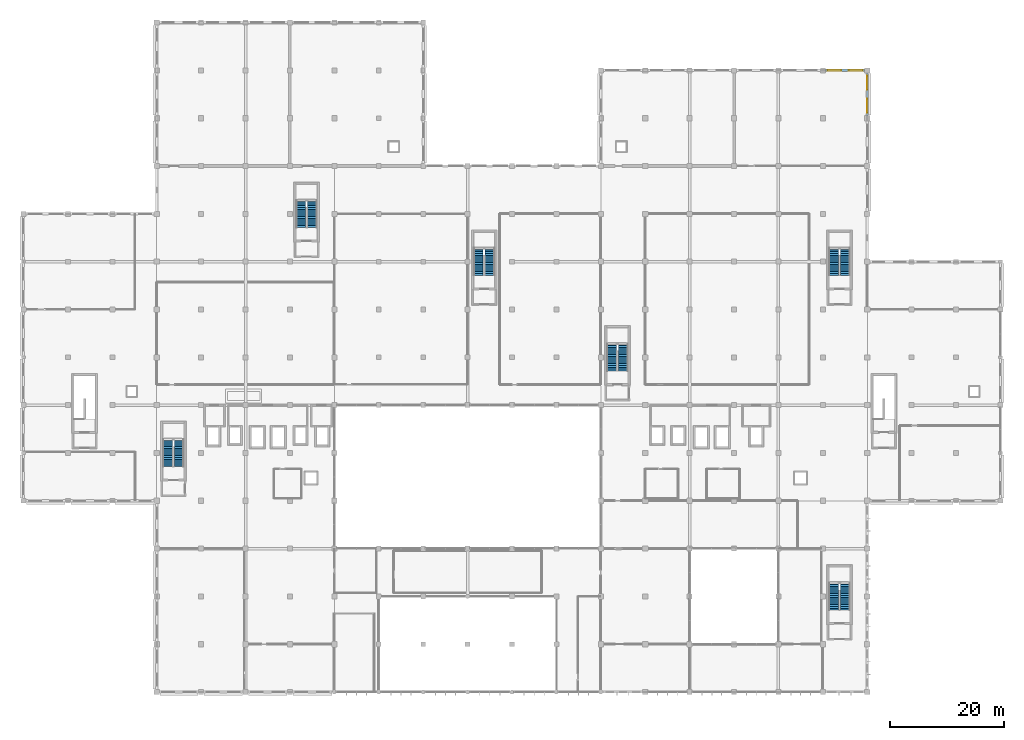
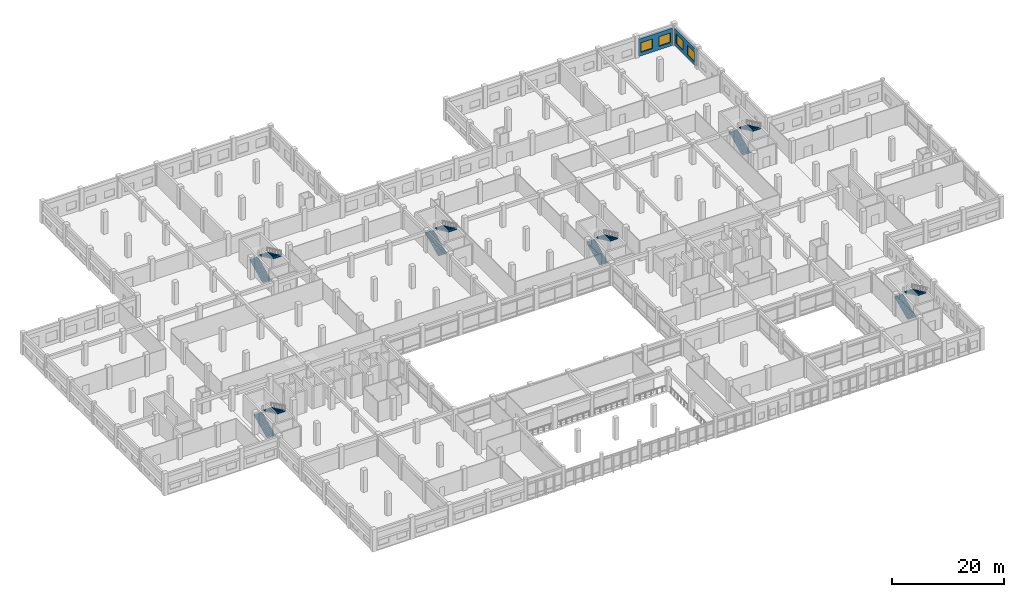
# One storey, part 66 of 79: 12 stair flights, 4 windows, 2 walls, 4 openings, 6 elements without a shape of their own.
"""IFC4 building model written with IfcOpenShell, lengths in metres."""

from ifc_helpers import new_model, si_unit, direction, frame, frame_2d, origin, place, context, subcontext, project, spatial, polyline, rectangle, outline, extrude, material, layer, layer_set, type_object, element, fill, aggregate, save


model = new_model("IFC4")

# Units and contexts
model_context = context("Model", 3, precision=1e-05, world=origin(), true_north=direction((0.0, 1.0)))
body_context = subcontext(model_context, "Body", "Model", "MODEL_VIEW")
ifc_project = project(units=[si_unit("LENGTHUNIT", "METRE"), si_unit("AREAUNIT", "SQUARE_METRE"), si_unit("VOLUMEUNIT", "CUBIC_METRE"), si_unit("PLANEANGLEUNIT", "RADIAN"), si_unit("MASSUNIT", "GRAM", prefix="KILO"), si_unit("THERMODYNAMICTEMPERATUREUNIT", "KELVIN"), si_unit("POWERUNIT", "WATT")], contexts=[model_context])

# Site, building, storey
site_placement = place(None, origin())
site = spatial("IfcSite", under=ifc_project, at=site_placement, CompositionType="ELEMENT")
building_placement = place(site_placement, origin())
building = spatial("IfcBuilding", under=site, at=building_placement, Name="Srebrne Nadtorze General Hospital", CompositionType="ELEMENT")
storey_placement = place(building_placement, frame((0.0, 0.0, 4.800048828125)))
storey = spatial("IfcBuildingStorey", under=building, at=storey_placement, Name="L01", CompositionType="ELEMENT", Elevation=4.800048828125)

# Wall, openings, windows
ifc_material_1 = material(Name="Concrete C40/50", Category="concrete")
ifc_layer_1 = layer(ifc_material_1, 0.419921875)
ifc_layer_set_1 = layer_set([ifc_layer_1], Name="Concrete C40/50")
wall_type_1 = type_object("IfcWallType", Name="Acoustic buffer wall 420", PredefinedType="SOLIDWALL", material=ifc_layer_set_1)
wall_1_placement = place(storey_placement, frame((140.85009765625, 109.199951171875, 0.0), z_axis=(0.0, 0.0, 1.0), x_axis=(1.0, 0.0, 0.0)))
wall_1 = element("IfcWall", 1, at=wall_1_placement, inside=storey, type_object=wall_type_1, Name="Exterior wall WL-ENV-L01-0177", PredefinedType="SOLIDWALL", context=body_context, shape_type="SweptSolid", body=[
    extrude(rectangle(XDim=6.89990234375, YDim=0.419921875, at=frame_2d((3.449951171875, 0.0))), origin(), (0.0, 0.0, 1.0), 3.75),
])
opening_1_placement = place(wall_1_placement, frame((0.3779296875, 0.0, 0.75)))
opening_1 = element("IfcOpeningElement", 2, at=opening_1_placement, cuts=wall_1, Name="Opening WN-L01-0174", PredefinedType="OPENING", context=body_context, shape_type="SweptSolid", body=[
    extrude(rectangle(XDim=2.39990234375, YDim=2.10009765625, at=frame_2d((1.199951171875, 1.050048828125))), frame((0.0, 0.221923828125, 0.0), z_axis=(0.0, -1.0, 0.0), x_axis=(1.0, 0.0, 0.0)), (0.0, 0.0, 1.0), 0.44384765625),
])
opening_2_placement = place(wall_1_placement, frame((4.1220703125, 0.0, 0.75)))
opening_2 = element("IfcOpeningElement", 3, at=opening_2_placement, cuts=wall_1, Name="Opening WN-L01-0175", PredefinedType="OPENING", context=body_context, shape_type="SweptSolid", body=[
    extrude(rectangle(XDim=2.39990234375, YDim=2.10009765625, at=frame_2d((1.199951171875, 1.050048828125))), frame((0.0, 0.221923828125, 0.0), z_axis=(0.0, -1.0, 0.0), x_axis=(1.0, 0.0, 0.0)), (0.0, 0.0, 1.0), 0.44384765625),
])
ifc_material_2 = material(Name="Triple Low-E Glazing", Category="glass")
window_type = type_object("IfcWindowType", Name="Punched clinical window 2400x2100", PartitioningType="DOUBLE_PANEL_VERTICAL", PredefinedType="WINDOW", material=ifc_material_2)
window_1_placement = place(opening_1_placement, origin())
window_1 = element("IfcWindow", 4, at=window_1_placement, inside=storey, type_object=window_type, Name="Clinical window WN-L01-0174", OverallHeight=2.10009765625, OverallWidth=2.39990234375, PartitioningType="DOUBLE_PANEL_VERTICAL", PredefinedType="WINDOW", context=body_context, shape_type="SweptSolid", body=[
    extrude(rectangle(XDim=2.39990234375, YDim=2.10009765625, at=frame_2d((1.199951171875, 1.050048828125))), frame((0.0, 0.030029296875, 0.0), z_axis=(0.0, -1.0, 0.0), x_axis=(1.0, 0.0, 0.0)), (0.0, 0.0, 1.0), 0.06005859375),
])
fill(opening_1, window_1)
window_2_placement = place(opening_2_placement, origin())
window_2 = element("IfcWindow", 5, at=window_2_placement, inside=storey, type_object=window_type, Name="Clinical window WN-L01-0175", OverallHeight=2.10009765625, OverallWidth=2.39990234375, PartitioningType="DOUBLE_PANEL_VERTICAL", PredefinedType="WINDOW", context=body_context, shape_type="SweptSolid", body=[
    extrude(rectangle(XDim=2.39990234375, YDim=2.10009765625, at=frame_2d((1.199951171875, 1.050048828125))), frame((0.0, 0.030029296875, 0.0), z_axis=(0.0, -1.0, 0.0), x_axis=(1.0, 0.0, 0.0)), (0.0, 0.0, 1.0), 0.06005859375),
])
fill(opening_2, window_2)

ifc_material_3 = material(Name="Concrete C35/45", Category="concrete")
ifc_layer_2 = layer(ifc_material_3, 0.320068359375)
ifc_layer_set_2 = layer_set([ifc_layer_2], Name="Concrete C35/45")
wall_type_2 = type_object("IfcWallType", Name="Spandrel wall 320", PredefinedType="STANDARD", material=ifc_layer_set_2)
wall_2_placement = place(storey_placement, frame((148.199951171875, 101.25, 0.0), z_axis=(0.0, 0.0, 1.0), x_axis=(0.0, 1.0, 0.0)))
wall_2 = element("IfcWall", 6, at=wall_2_placement, inside=storey, type_object=wall_type_2, Name="Exterior wall WL-ENV-L01-0210", PredefinedType="STANDARD", context=body_context, shape_type="SweptSolid", body=[
    extrude(rectangle(XDim=7.5, YDim=0.320068359375, at=frame_2d((3.75, 0.0))), origin(), (0.0, 0.0, 1.0), 3.75),
])
opening_3_placement = place(wall_2_placement, frame((0.533935546875, 0.0, 0.75)))
opening_3 = element("IfcOpeningElement", 7, at=opening_3_placement, cuts=wall_2, Name="Opening WN-L01-0242", PredefinedType="OPENING", context=body_context, shape_type="SweptSolid", body=[
    extrude(rectangle(XDim=2.39990234375, YDim=2.10009765625, at=frame_2d((1.199951171875, 1.050048828125))), frame((0.0, 0.171875, 0.0), z_axis=(0.0, -1.0, 0.0), x_axis=(1.0, 0.0, 0.0)), (0.0, 0.0, 1.0), 0.343994140625),
])
opening_4_placement = place(wall_2_placement, frame((4.56591796875, 0.0, 0.75)))
opening_4 = element("IfcOpeningElement", 8, at=opening_4_placement, cuts=wall_2, Name="Opening WN-L01-0243", PredefinedType="OPENING", context=body_context, shape_type="SweptSolid", body=[
    extrude(rectangle(XDim=2.39990234375, YDim=2.10009765625, at=frame_2d((1.199951171875, 1.050048828125))), frame((0.0, 0.171875, 0.0), z_axis=(0.0, -1.0, 0.0), x_axis=(1.0, 0.0, 0.0)), (0.0, 0.0, 1.0), 0.343994140625),
])
window_3_placement = place(opening_3_placement, origin())
window_3 = element("IfcWindow", 9, at=window_3_placement, inside=storey, type_object=window_type, Name="Clinical window WN-L01-0242", OverallHeight=2.10009765625, OverallWidth=2.39990234375, PartitioningType="DOUBLE_PANEL_VERTICAL", PredefinedType="WINDOW", context=body_context, shape_type="SweptSolid", body=[
    extrude(rectangle(XDim=2.39990234375, YDim=2.10009765625, at=frame_2d((1.199951171875, 1.050048828125))), frame((0.0, 0.030029296875, 0.0), z_axis=(0.0, -1.0, 0.0), x_axis=(1.0, 0.0, 0.0)), (0.0, 0.0, 1.0), 0.06005859375),
])
fill(opening_3, window_3)
window_4_placement = place(opening_4_placement, origin())
window_4 = element("IfcWindow", 10, at=window_4_placement, inside=storey, type_object=window_type, Name="Clinical window WN-L01-0243", OverallHeight=2.10009765625, OverallWidth=2.39990234375, PartitioningType="DOUBLE_PANEL_VERTICAL", PredefinedType="WINDOW", context=body_context, shape_type="SweptSolid", body=[
    extrude(rectangle(XDim=2.39990234375, YDim=2.10009765625, at=frame_2d((1.199951171875, 1.050048828125))), frame((0.0, 0.030029296875, 0.0), z_axis=(0.0, -1.0, 0.0), x_axis=(1.0, 0.0, 0.0)), (0.0, 0.0, 1.0), 0.06005859375),
])
fill(opening_4, window_4)

# Stair, stair flights
ifc_material_4 = material(Name="Concrete C35/45", Category="concrete")
stair_type = type_object("IfcStairType", Name="Dog-leg escape stair 480", PredefinedType="HALF_TURN_STAIR", material=ifc_material_4)
stair_1_placement = place(storey_placement, origin())
stair_1 = element("IfcStair", 11, at=stair_1_placement, inside=storey, type_object=stair_type, Name="Escape stair ST-01-L01", PredefinedType="HALF_TURN_STAIR")
ifc_material_5 = material(Name="Concrete C35/45", Category="concrete")
stair_flight_type = type_object("IfcStairFlightType", Name="Reinforced concrete stair flight 16R", PredefinedType="STRAIGHT", material=ifc_material_5)
stair_flight_1_placement = place(storey_placement, frame((25.300048828125, 39.60009765625, 0.0), z_axis=(0.0, 0.0, 1.0), x_axis=(0.0, 1.0, 0.0)))
stair_flight_1 = element("IfcStairFlight", 12, at=stair_flight_1_placement, type_object=stair_flight_type, Name="ST-01 flight 1", NumberOfRisers=16, NumberOfTreads=15, PredefinedType="STRAIGHT", RiserHeight=0.15, TreadLength=0.32, context=body_context, shape_type="SweptSolid", body=[
    extrude(outline(polyline([(0.0, 0.0), (0.0, 0.14990234375), (0.320068359375, 0.14990234375), (0.320068359375, 0.300048828125), (0.639892578125, 0.300048828125), (0.639892578125, 0.449951171875), (0.9599609375, 0.449951171875), (0.9599609375, 0.60009765625), (1.280029296875, 0.60009765625), (1.280029296875, 0.75), (1.60009765625, 0.75), (1.60009765625, 0.89990234375), (1.919921875, 0.89990234375), (1.919921875, 1.050048828125), (2.239990234375, 1.050048828125), (2.239990234375, 1.199951171875), (2.56005859375, 1.199951171875), (2.56005859375, 1.35009765625), (2.8798828125, 1.35009765625), (2.8798828125, 1.5), (3.199951171875, 1.5), (3.199951171875, 1.64990234375), (3.52001953125, 1.64990234375), (3.52001953125, 1.800048828125), (3.840087890625, 1.800048828125), (3.840087890625, 1.949951171875), (4.159912109375, 1.949951171875), (4.159912109375, 2.10009765625), (4.47998046875, 2.10009765625), (4.47998046875, 2.25), (4.800048828125, 2.25), (4.800048828125, 2.39990234375), (4.800048828125, 2.05126953125), (0.423828125, 0.0), (0.0, 0.0)])), frame((0.0, 0.85009765625, 0.0), z_axis=(0.0, -1.0, 0.0), x_axis=(1.0, 0.0, 0.0)), (0.0, 0.0, 1.0), 1.699951171875),
])
stair_flight_2_placement = place(storey_placement, frame((27.35009765625, 44.39990234375, 2.39990234375), z_axis=(0.0, 0.0, 1.0), x_axis=(0.0, -1.0, 0.0)))
stair_flight_2 = element("IfcStairFlight", 13, at=stair_flight_2_placement, type_object=stair_flight_type, Name="ST-01 flight 2", NumberOfRisers=16, NumberOfTreads=15, PredefinedType="STRAIGHT", RiserHeight=0.15, TreadLength=0.32, context=body_context, shape_type="SweptSolid", body=[
    extrude(outline(polyline([(0.0, 0.0), (0.0, 0.14990234375), (0.320068359375, 0.14990234375), (0.320068359375, 0.300048828125), (0.639892578125, 0.300048828125), (0.639892578125, 0.449951171875), (0.9599609375, 0.449951171875), (0.9599609375, 0.60009765625), (1.280029296875, 0.60009765625), (1.280029296875, 0.75), (1.60009765625, 0.75), (1.60009765625, 0.89990234375), (1.919921875, 0.89990234375), (1.919921875, 1.050048828125), (2.239990234375, 1.050048828125), (2.239990234375, 1.199951171875), (2.56005859375, 1.199951171875), (2.56005859375, 1.35009765625), (2.8798828125, 1.35009765625), (2.8798828125, 1.5), (3.199951171875, 1.5), (3.199951171875, 1.64990234375), (3.52001953125, 1.64990234375), (3.52001953125, 1.800048828125), (3.840087890625, 1.800048828125), (3.840087890625, 1.949951171875), (4.159912109375, 1.949951171875), (4.159912109375, 2.10009765625), (4.47998046875, 2.10009765625), (4.47998046875, 2.25), (4.800048828125, 2.25), (4.800048828125, 2.39990234375), (4.800048828125, 2.05126953125), (0.423828125, 0.0), (0.0, 0.0)])), frame((0.0, 0.85009765625, 0.0), z_axis=(0.0, -1.0, 0.0), x_axis=(1.0, 0.0, 0.0)), (0.0, 0.0, 1.0), 1.699951171875),
])
aggregate(stair_1, [stair_flight_1, stair_flight_2])

stair_2_placement = place(storey_placement, origin())
stair_2 = element("IfcStair", 14, at=stair_2_placement, inside=storey, type_object=stair_type, Name="Escape stair ST-02-L01", PredefinedType="HALF_TURN_STAIR")
stair_flight_3_placement = place(storey_placement, frame((48.699951171875, 81.60009765625, 0.0), z_axis=(0.0, 0.0, 1.0), x_axis=(0.0, 1.0, 0.0)))
stair_flight_3 = element("IfcStairFlight", 15, at=stair_flight_3_placement, type_object=stair_flight_type, Name="ST-02 flight 1", NumberOfRisers=16, NumberOfTreads=15, PredefinedType="STRAIGHT", RiserHeight=0.15, TreadLength=0.32, context=body_context, shape_type="SweptSolid", body=[
    extrude(outline(polyline([(0.0, 0.0), (0.0, 0.14990234375), (0.320068359375, 0.14990234375), (0.320068359375, 0.300048828125), (0.639892578125, 0.300048828125), (0.639892578125, 0.449951171875), (0.9599609375, 0.449951171875), (0.9599609375, 0.60009765625), (1.280029296875, 0.60009765625), (1.280029296875, 0.75), (1.60009765625, 0.75), (1.60009765625, 0.89990234375), (1.919921875, 0.89990234375), (1.919921875, 1.050048828125), (2.239990234375, 1.050048828125), (2.239990234375, 1.199951171875), (2.56005859375, 1.199951171875), (2.56005859375, 1.35009765625), (2.8798828125, 1.35009765625), (2.8798828125, 1.5), (3.199951171875, 1.5), (3.199951171875, 1.64990234375), (3.52001953125, 1.64990234375), (3.52001953125, 1.800048828125), (3.840087890625, 1.800048828125), (3.840087890625, 1.949951171875), (4.159912109375, 1.949951171875), (4.159912109375, 2.10009765625), (4.47998046875, 2.10009765625), (4.47998046875, 2.25), (4.800048828125, 2.25), (4.800048828125, 2.39990234375), (4.800048828125, 2.05126953125), (0.423828125, 0.0), (0.0, 0.0)])), frame((0.0, 0.85009765625, 0.0), z_axis=(0.0, -1.0, 0.0), x_axis=(1.0, 0.0, 0.0)), (0.0, 0.0, 1.0), 1.699951171875),
])
stair_flight_4_placement = place(storey_placement, frame((50.75, 86.39990234375, 2.39990234375), z_axis=(0.0, 0.0, 1.0), x_axis=(0.0, -1.0, 0.0)))
stair_flight_4 = element("IfcStairFlight", 16, at=stair_flight_4_placement, type_object=stair_flight_type, Name="ST-02 flight 2", NumberOfRisers=16, NumberOfTreads=15, PredefinedType="STRAIGHT", RiserHeight=0.15, TreadLength=0.32, context=body_context, shape_type="SweptSolid", body=[
    extrude(outline(polyline([(0.0, 0.0), (0.0, 0.14990234375), (0.320068359375, 0.14990234375), (0.320068359375, 0.300048828125), (0.639892578125, 0.300048828125), (0.639892578125, 0.449951171875), (0.9599609375, 0.449951171875), (0.9599609375, 0.60009765625), (1.280029296875, 0.60009765625), (1.280029296875, 0.75), (1.60009765625, 0.75), (1.60009765625, 0.89990234375), (1.919921875, 0.89990234375), (1.919921875, 1.050048828125), (2.239990234375, 1.050048828125), (2.239990234375, 1.199951171875), (2.56005859375, 1.199951171875), (2.56005859375, 1.35009765625), (2.8798828125, 1.35009765625), (2.8798828125, 1.5), (3.199951171875, 1.5), (3.199951171875, 1.64990234375), (3.52001953125, 1.64990234375), (3.52001953125, 1.800048828125), (3.840087890625, 1.800048828125), (3.840087890625, 1.949951171875), (4.159912109375, 1.949951171875), (4.159912109375, 2.10009765625), (4.47998046875, 2.10009765625), (4.47998046875, 2.25), (4.800048828125, 2.25), (4.800048828125, 2.39990234375), (4.800048828125, 2.05126953125), (0.423828125, 0.0), (0.0, 0.0)])), frame((0.0, 0.85009765625, 0.0), z_axis=(0.0, -1.0, 0.0), x_axis=(1.0, 0.0, 0.0)), (0.0, 0.0, 1.0), 1.699951171875),
])
aggregate(stair_2, [stair_flight_3, stair_flight_4])

stair_3_placement = place(storey_placement, origin())
stair_3 = element("IfcStair", 17, at=stair_3_placement, inside=storey, type_object=stair_type, Name="Escape stair ST-03-L01", PredefinedType="HALF_TURN_STAIR")
stair_flight_5_placement = place(storey_placement, frame((103.300048828125, 56.39990234375, 0.0), z_axis=(0.0, 0.0, 1.0), x_axis=(0.0, 1.0, 0.0)))
stair_flight_5 = element("IfcStairFlight", 18, at=stair_flight_5_placement, type_object=stair_flight_type, Name="ST-03 flight 1", NumberOfRisers=16, NumberOfTreads=15, PredefinedType="STRAIGHT", RiserHeight=0.15, TreadLength=0.32, context=body_context, shape_type="SweptSolid", body=[
    extrude(outline(polyline([(0.0, 0.0), (0.0, 0.14990234375), (0.320068359375, 0.14990234375), (0.320068359375, 0.300048828125), (0.639892578125, 0.300048828125), (0.639892578125, 0.449951171875), (0.9599609375, 0.449951171875), (0.9599609375, 0.60009765625), (1.280029296875, 0.60009765625), (1.280029296875, 0.75), (1.60009765625, 0.75), (1.60009765625, 0.89990234375), (1.919921875, 0.89990234375), (1.919921875, 1.050048828125), (2.239990234375, 1.050048828125), (2.239990234375, 1.199951171875), (2.56005859375, 1.199951171875), (2.56005859375, 1.35009765625), (2.8798828125, 1.35009765625), (2.8798828125, 1.5), (3.199951171875, 1.5), (3.199951171875, 1.64990234375), (3.52001953125, 1.64990234375), (3.52001953125, 1.800048828125), (3.840087890625, 1.800048828125), (3.840087890625, 1.949951171875), (4.159912109375, 1.949951171875), (4.159912109375, 2.10009765625), (4.47998046875, 2.10009765625), (4.47998046875, 2.25), (4.800048828125, 2.25), (4.800048828125, 2.39990234375), (4.800048828125, 2.05126953125), (0.423828125, 0.0), (0.0, 0.0)])), frame((0.0, 0.85009765625, 0.0), z_axis=(0.0, -1.0, 0.0), x_axis=(1.0, 0.0, 0.0)), (0.0, 0.0, 1.0), 1.699951171875),
])
stair_flight_6_placement = place(storey_placement, frame((105.35009765625, 61.199951171875, 2.39990234375), z_axis=(0.0, 0.0, 1.0), x_axis=(0.0, -1.0, 0.0)))
stair_flight_6 = element("IfcStairFlight", 19, at=stair_flight_6_placement, type_object=stair_flight_type, Name="ST-03 flight 2", NumberOfRisers=16, NumberOfTreads=15, PredefinedType="STRAIGHT", RiserHeight=0.15, TreadLength=0.32, context=body_context, shape_type="SweptSolid", body=[
    extrude(outline(polyline([(0.0, 0.0), (0.0, 0.14990234375), (0.320068359375, 0.14990234375), (0.320068359375, 0.300048828125), (0.639892578125, 0.300048828125), (0.639892578125, 0.449951171875), (0.9599609375, 0.449951171875), (0.9599609375, 0.60009765625), (1.280029296875, 0.60009765625), (1.280029296875, 0.75), (1.60009765625, 0.75), (1.60009765625, 0.89990234375), (1.919921875, 0.89990234375), (1.919921875, 1.050048828125), (2.239990234375, 1.050048828125), (2.239990234375, 1.199951171875), (2.56005859375, 1.199951171875), (2.56005859375, 1.35009765625), (2.8798828125, 1.35009765625), (2.8798828125, 1.5), (3.199951171875, 1.5), (3.199951171875, 1.64990234375), (3.52001953125, 1.64990234375), (3.52001953125, 1.800048828125), (3.840087890625, 1.800048828125), (3.840087890625, 1.949951171875), (4.159912109375, 1.949951171875), (4.159912109375, 2.10009765625), (4.47998046875, 2.10009765625), (4.47998046875, 2.25), (4.800048828125, 2.25), (4.800048828125, 2.39990234375), (4.800048828125, 2.05126953125), (0.423828125, 0.0), (0.0, 0.0)])), frame((0.0, 0.85009765625, 0.0), z_axis=(0.0, -1.0, 0.0), x_axis=(1.0, 0.0, 0.0)), (0.0, 0.0, 1.0), 1.699951171875),
])
aggregate(stair_3, [stair_flight_5, stair_flight_6])

stair_4_placement = place(storey_placement, origin())
stair_4 = element("IfcStair", 20, at=stair_4_placement, inside=storey, type_object=stair_type, Name="Escape stair ST-04-L01", PredefinedType="HALF_TURN_STAIR")
stair_flight_7_placement = place(storey_placement, frame((142.300048828125, 73.199951171875, 0.0), z_axis=(0.0, 0.0, 1.0), x_axis=(0.0, 1.0, 0.0)))
stair_flight_7 = element("IfcStairFlight", 21, at=stair_flight_7_placement, type_object=stair_flight_type, Name="ST-04 flight 1", NumberOfRisers=16, NumberOfTreads=15, PredefinedType="STRAIGHT", RiserHeight=0.15, TreadLength=0.32, context=body_context, shape_type="SweptSolid", body=[
    extrude(outline(polyline([(0.0, 0.0), (0.0, 0.14990234375), (0.320068359375, 0.14990234375), (0.320068359375, 0.300048828125), (0.639892578125, 0.300048828125), (0.639892578125, 0.449951171875), (0.9599609375, 0.449951171875), (0.9599609375, 0.60009765625), (1.280029296875, 0.60009765625), (1.280029296875, 0.75), (1.60009765625, 0.75), (1.60009765625, 0.89990234375), (1.919921875, 0.89990234375), (1.919921875, 1.050048828125), (2.239990234375, 1.050048828125), (2.239990234375, 1.199951171875), (2.56005859375, 1.199951171875), (2.56005859375, 1.35009765625), (2.8798828125, 1.35009765625), (2.8798828125, 1.5), (3.199951171875, 1.5), (3.199951171875, 1.64990234375), (3.52001953125, 1.64990234375), (3.52001953125, 1.800048828125), (3.840087890625, 1.800048828125), (3.840087890625, 1.949951171875), (4.159912109375, 1.949951171875), (4.159912109375, 2.10009765625), (4.47998046875, 2.10009765625), (4.47998046875, 2.25), (4.800048828125, 2.25), (4.800048828125, 2.39990234375), (4.800048828125, 2.05126953125), (0.423828125, 0.0), (0.0, 0.0)])), frame((0.0, 0.85009765625, 0.0), z_axis=(0.0, -1.0, 0.0), x_axis=(1.0, 0.0, 0.0)), (0.0, 0.0, 1.0), 1.699951171875),
])
stair_flight_8_placement = place(storey_placement, frame((144.35009765625, 78.0, 2.39990234375), z_axis=(0.0, 0.0, 1.0), x_axis=(0.0, -1.0, 0.0)))
stair_flight_8 = element("IfcStairFlight", 22, at=stair_flight_8_placement, type_object=stair_flight_type, Name="ST-04 flight 2", NumberOfRisers=16, NumberOfTreads=15, PredefinedType="STRAIGHT", RiserHeight=0.15, TreadLength=0.32, context=body_context, shape_type="SweptSolid", body=[
    extrude(outline(polyline([(0.0, 0.0), (0.0, 0.14990234375), (0.320068359375, 0.14990234375), (0.320068359375, 0.300048828125), (0.639892578125, 0.300048828125), (0.639892578125, 0.449951171875), (0.9599609375, 0.449951171875), (0.9599609375, 0.60009765625), (1.280029296875, 0.60009765625), (1.280029296875, 0.75), (1.60009765625, 0.75), (1.60009765625, 0.89990234375), (1.919921875, 0.89990234375), (1.919921875, 1.050048828125), (2.239990234375, 1.050048828125), (2.239990234375, 1.199951171875), (2.56005859375, 1.199951171875), (2.56005859375, 1.35009765625), (2.8798828125, 1.35009765625), (2.8798828125, 1.5), (3.199951171875, 1.5), (3.199951171875, 1.64990234375), (3.52001953125, 1.64990234375), (3.52001953125, 1.800048828125), (3.840087890625, 1.800048828125), (3.840087890625, 1.949951171875), (4.159912109375, 1.949951171875), (4.159912109375, 2.10009765625), (4.47998046875, 2.10009765625), (4.47998046875, 2.25), (4.800048828125, 2.25), (4.800048828125, 2.39990234375), (4.800048828125, 2.05126953125), (0.423828125, 0.0), (0.0, 0.0)])), frame((0.0, 0.85009765625, 0.0), z_axis=(0.0, -1.0, 0.0), x_axis=(1.0, 0.0, 0.0)), (0.0, 0.0, 1.0), 1.699951171875),
])
aggregate(stair_4, [stair_flight_7, stair_flight_8])

stair_5_placement = place(storey_placement, origin())
stair_5 = element("IfcStair", 23, at=stair_5_placement, inside=storey, type_object=stair_type, Name="Escape stair ST-07-L01", PredefinedType="HALF_TURN_STAIR")
stair_flight_9_placement = place(storey_placement, frame((79.89990234375, 73.199951171875, 0.0), z_axis=(0.0, 0.0, 1.0), x_axis=(0.0, 1.0, 0.0)))
stair_flight_9 = element("IfcStairFlight", 24, at=stair_flight_9_placement, type_object=stair_flight_type, Name="ST-07 flight 1", NumberOfRisers=16, NumberOfTreads=15, PredefinedType="STRAIGHT", RiserHeight=0.15, TreadLength=0.32, context=body_context, shape_type="SweptSolid", body=[
    extrude(outline(polyline([(0.0, 0.0), (0.0, 0.14990234375), (0.320068359375, 0.14990234375), (0.320068359375, 0.300048828125), (0.639892578125, 0.300048828125), (0.639892578125, 0.449951171875), (0.9599609375, 0.449951171875), (0.9599609375, 0.60009765625), (1.280029296875, 0.60009765625), (1.280029296875, 0.75), (1.60009765625, 0.75), (1.60009765625, 0.89990234375), (1.919921875, 0.89990234375), (1.919921875, 1.050048828125), (2.239990234375, 1.050048828125), (2.239990234375, 1.199951171875), (2.56005859375, 1.199951171875), (2.56005859375, 1.35009765625), (2.8798828125, 1.35009765625), (2.8798828125, 1.5), (3.199951171875, 1.5), (3.199951171875, 1.64990234375), (3.52001953125, 1.64990234375), (3.52001953125, 1.800048828125), (3.840087890625, 1.800048828125), (3.840087890625, 1.949951171875), (4.159912109375, 1.949951171875), (4.159912109375, 2.10009765625), (4.47998046875, 2.10009765625), (4.47998046875, 2.25), (4.800048828125, 2.25), (4.800048828125, 2.39990234375), (4.800048828125, 2.05126953125), (0.423828125, 0.0), (0.0, 0.0)])), frame((0.0, 0.85009765625, 0.0), z_axis=(0.0, -1.0, 0.0), x_axis=(1.0, 0.0, 0.0)), (0.0, 0.0, 1.0), 1.699951171875),
])
stair_flight_10_placement = place(storey_placement, frame((81.949951171875, 78.0, 2.39990234375), z_axis=(0.0, 0.0, 1.0), x_axis=(0.0, -1.0, 0.0)))
stair_flight_10 = element("IfcStairFlight", 25, at=stair_flight_10_placement, type_object=stair_flight_type, Name="ST-07 flight 2", NumberOfRisers=16, NumberOfTreads=15, PredefinedType="STRAIGHT", RiserHeight=0.15, TreadLength=0.32, context=body_context, shape_type="SweptSolid", body=[
    extrude(outline(polyline([(0.0, 0.0), (0.0, 0.14990234375), (0.320068359375, 0.14990234375), (0.320068359375, 0.300048828125), (0.639892578125, 0.300048828125), (0.639892578125, 0.449951171875), (0.9599609375, 0.449951171875), (0.9599609375, 0.60009765625), (1.280029296875, 0.60009765625), (1.280029296875, 0.75), (1.60009765625, 0.75), (1.60009765625, 0.89990234375), (1.919921875, 0.89990234375), (1.919921875, 1.050048828125), (2.239990234375, 1.050048828125), (2.239990234375, 1.199951171875), (2.56005859375, 1.199951171875), (2.56005859375, 1.35009765625), (2.8798828125, 1.35009765625), (2.8798828125, 1.5), (3.199951171875, 1.5), (3.199951171875, 1.64990234375), (3.52001953125, 1.64990234375), (3.52001953125, 1.800048828125), (3.840087890625, 1.800048828125), (3.840087890625, 1.949951171875), (4.159912109375, 1.949951171875), (4.159912109375, 2.10009765625), (4.47998046875, 2.10009765625), (4.47998046875, 2.25), (4.800048828125, 2.25), (4.800048828125, 2.39990234375), (4.800048828125, 2.05126953125), (0.423828125, 0.0), (0.0, 0.0)])), frame((0.0, 0.85009765625, 0.0), z_axis=(0.0, -1.0, 0.0), x_axis=(1.0, 0.0, 0.0)), (0.0, 0.0, 1.0), 1.699951171875),
])
aggregate(stair_5, [stair_flight_9, stair_flight_10])

stair_6_placement = place(storey_placement, origin())
stair_6 = element("IfcStair", 26, at=stair_6_placement, inside=storey, type_object=stair_type, Name="Escape stair ST-08-L01", PredefinedType="HALF_TURN_STAIR")
stair_flight_11_placement = place(storey_placement, frame((142.300048828125, 14.39990234375, 0.0), z_axis=(0.0, 0.0, 1.0), x_axis=(0.0, 1.0, 0.0)))
stair_flight_11 = element("IfcStairFlight", 27, at=stair_flight_11_placement, type_object=stair_flight_type, Name="ST-08 flight 1", NumberOfRisers=16, NumberOfTreads=15, PredefinedType="STRAIGHT", RiserHeight=0.15, TreadLength=0.32, context=body_context, shape_type="SweptSolid", body=[
    extrude(outline(polyline([(0.0, 0.0), (0.0, 0.14990234375), (0.320068359375, 0.14990234375), (0.320068359375, 0.300048828125), (0.639892578125, 0.300048828125), (0.639892578125, 0.449951171875), (0.9599609375, 0.449951171875), (0.9599609375, 0.60009765625), (1.280029296875, 0.60009765625), (1.280029296875, 0.75), (1.60009765625, 0.75), (1.60009765625, 0.89990234375), (1.919921875, 0.89990234375), (1.919921875, 1.050048828125), (2.239990234375, 1.050048828125), (2.239990234375, 1.199951171875), (2.56005859375, 1.199951171875), (2.56005859375, 1.35009765625), (2.8798828125, 1.35009765625), (2.8798828125, 1.5), (3.199951171875, 1.5), (3.199951171875, 1.64990234375), (3.52001953125, 1.64990234375), (3.52001953125, 1.800048828125), (3.840087890625, 1.800048828125), (3.840087890625, 1.949951171875), (4.159912109375, 1.949951171875), (4.159912109375, 2.10009765625), (4.47998046875, 2.10009765625), (4.47998046875, 2.25), (4.800048828125, 2.25), (4.800048828125, 2.39990234375), (4.800048828125, 2.05126953125), (0.423828125, 0.0), (0.0, 0.0)])), frame((0.0, 0.85009765625, 0.0), z_axis=(0.0, -1.0, 0.0), x_axis=(1.0, 0.0, 0.0)), (0.0, 0.0, 1.0), 1.699951171875),
])
stair_flight_12_placement = place(storey_placement, frame((144.35009765625, 19.199951171875, 2.39990234375), z_axis=(0.0, 0.0, 1.0), x_axis=(0.0, -1.0, 0.0)))
stair_flight_12 = element("IfcStairFlight", 28, at=stair_flight_12_placement, type_object=stair_flight_type, Name="ST-08 flight 2", NumberOfRisers=16, NumberOfTreads=15, PredefinedType="STRAIGHT", RiserHeight=0.15, TreadLength=0.32, context=body_context, shape_type="SweptSolid", body=[
    extrude(outline(polyline([(0.0, 0.0), (0.0, 0.14990234375), (0.320068359375, 0.14990234375), (0.320068359375, 0.300048828125), (0.639892578125, 0.300048828125), (0.639892578125, 0.449951171875), (0.9599609375, 0.449951171875), (0.9599609375, 0.60009765625), (1.280029296875, 0.60009765625), (1.280029296875, 0.75), (1.60009765625, 0.75), (1.60009765625, 0.89990234375), (1.919921875, 0.89990234375), (1.919921875, 1.050048828125), (2.239990234375, 1.050048828125), (2.239990234375, 1.199951171875), (2.56005859375, 1.199951171875), (2.56005859375, 1.35009765625), (2.8798828125, 1.35009765625), (2.8798828125, 1.5), (3.199951171875, 1.5), (3.199951171875, 1.64990234375), (3.52001953125, 1.64990234375), (3.52001953125, 1.800048828125), (3.840087890625, 1.800048828125), (3.840087890625, 1.949951171875), (4.159912109375, 1.949951171875), (4.159912109375, 2.10009765625), (4.47998046875, 2.10009765625), (4.47998046875, 2.25), (4.800048828125, 2.25), (4.800048828125, 2.39990234375), (4.800048828125, 2.05126953125), (0.423828125, 0.0), (0.0, 0.0)])), frame((0.0, 0.85009765625, 0.0), z_axis=(0.0, -1.0, 0.0), x_axis=(1.0, 0.0, 0.0)), (0.0, 0.0, 1.0), 1.699951171875),
])
aggregate(stair_6, [stair_flight_11, stair_flight_12])

save(model, "model.ifc")
